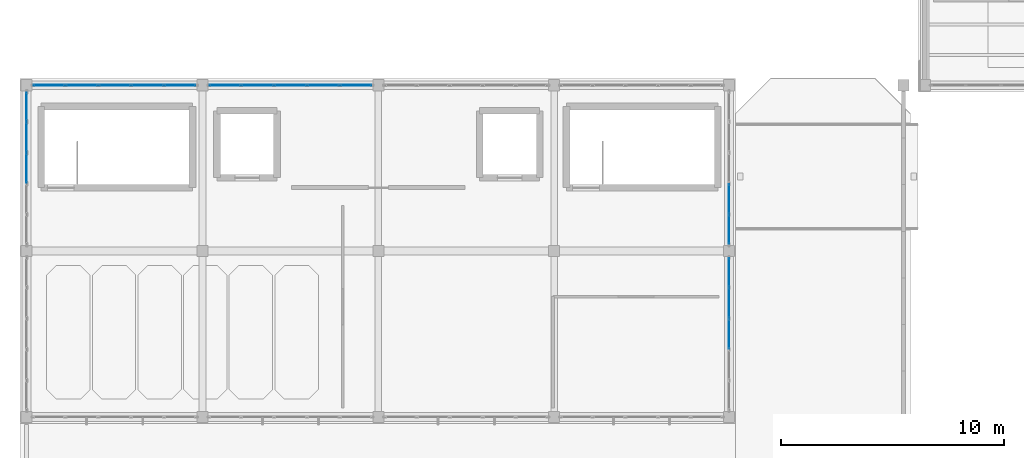
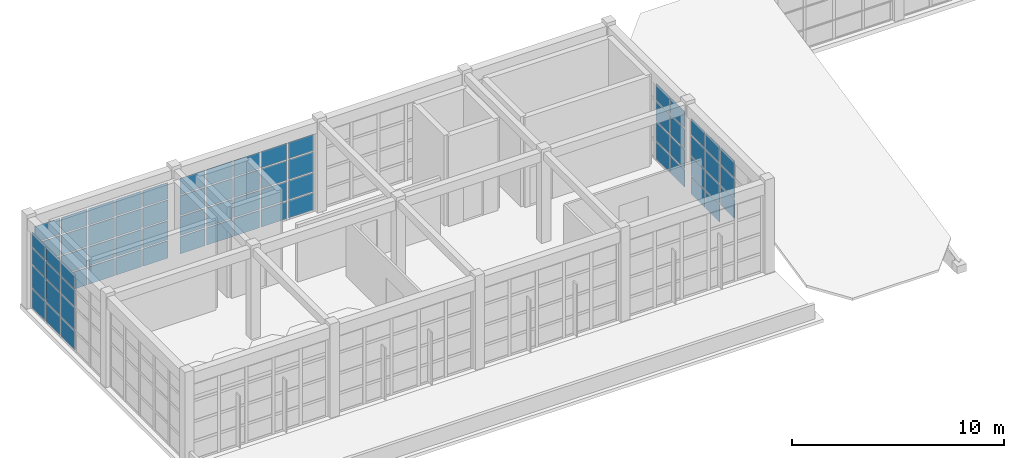
# One storey, part 64 of 103: 71 plates, 5 elements without a shape of their own.
"""IFC4 building model written with IfcOpenShell, lengths in metres."""

from ifc_helpers import new_model, si_unit, direction, frame, origin, origin_2d, place, context, subcontext, project, spatial, rectangle, extrude, material, layer, layer_set, type_object, element, aggregate, save


model = new_model("IFC4")

# Units and contexts
model_context = context("Model", 3, precision=1e-05, world=origin(), true_north=direction((0.0, 1.0)))
body_context = subcontext(model_context, "Body", "Model", "MODEL_VIEW")
ifc_project = project(units=[si_unit("LENGTHUNIT", "METRE"), si_unit("AREAUNIT", "SQUARE_METRE"), si_unit("VOLUMEUNIT", "CUBIC_METRE"), si_unit("PLANEANGLEUNIT", "RADIAN"), si_unit("MASSUNIT", "GRAM", prefix="KILO")], contexts=[model_context])

# Site, building, storey
site_placement = place(None, origin())
site = spatial("IfcSite", under=ifc_project, at=site_placement, CompositionType="ELEMENT")
building_placement = place(site_placement, origin())
building = spatial("IfcBuilding", under=site, at=building_placement, Name="Candilejo Ridge Gondola Terminal", CompositionType="ELEMENT")
storey_placement = place(building_placement, frame((0.0, 0.0, 9.0)))
storey = spatial("IfcBuildingStorey", under=building, at=storey_placement, Name="L02", CompositionType="ELEMENT", Elevation=9.0)

# Curtain wall, plates
ifc_material_1 = material(Name="Anodised aluminium AA 6063-T6", Category="aluminium")
ifc_layer_1 = layer(ifc_material_1, 0.169921875)
ifc_layer_set_1 = layer_set([ifc_layer_1], Name="ARC-CW-GALLERY-3200-740X449")
curtain_wall_type_1 = type_object("IfcCurtainWallType", Name="ARC-CW-GALLERY-3200-740X449", PredefinedType="NOTDEFINED", material=ifc_layer_set_1)
curtain_wall_1_placement = place(storey_placement, origin())
curtain_wall_1 = element("IfcCurtainWall", 1, at=curtain_wall_1_placement, inside=storey, type_object=curtain_wall_type_1, Name="Curtain wall V1 L02-004", PredefinedType="NOTDEFINED")
ifc_material_2 = material(Name="Low-E laminated double glazing 6+12A+6+1.52PVB+6 mm", Category="glass")
ifc_layer_2 = layer(ifc_material_2, 0.028076171875)
ifc_layer_set_2 = layer_set([ifc_layer_2], Name="ARC-CW-GLAZ-PANEL")
plate_type = type_object("IfcPlateType", Name="ARC-CW-GLAZ-PANEL", PredefinedType="CURTAIN_PANEL", material=ifc_layer_set_2)
plate_1_placement = place(storey_placement, frame((5.308837890625, 25.699951171875, 0.0751953125), z_axis=(0.0, 0.0, 1.0), x_axis=(1.0, 0.0, 0.0)))
plate_1 = element("IfcPlate", 2, at=plate_1_placement, type_object=plate_type, Name="CW-74X44 panel 1.1", PredefinedType="CURTAIN_PANEL", context=body_context, shape_type="SweptSolid", body=[
    extrude(rectangle(XDim=1.367431640625, YDim=0.028076171875, at=origin_2d()), origin(), (0.0, 0.0, 1.0), 0.987548828125),
])
plate_2_placement = place(storey_placement, frame((5.308837890625, 25.699951171875, 1.1376953125), z_axis=(0.0, 0.0, 1.0), x_axis=(1.0, 0.0, 0.0)))
plate_2 = element("IfcPlate", 3, at=plate_2_placement, type_object=plate_type, Name="CW-74X44 panel 1.2", PredefinedType="CURTAIN_PANEL", context=body_context, shape_type="SweptSolid", body=[
    extrude(rectangle(XDim=1.367431640625, YDim=0.028076171875, at=origin_2d()), origin(), (0.0, 0.0, 1.0), 1.074951171875),
])
plate_3_placement = place(storey_placement, frame((5.308837890625, 25.699951171875, 2.28759765625), z_axis=(0.0, 0.0, 1.0), x_axis=(1.0, 0.0, 0.0)))
plate_3 = element("IfcPlate", 4, at=plate_3_placement, type_object=plate_type, Name="CW-74X44 panel 1.3", PredefinedType="CURTAIN_PANEL", context=body_context, shape_type="SweptSolid", body=[
    extrude(rectangle(XDim=1.367431640625, YDim=0.028076171875, at=origin_2d()), origin(), (0.0, 0.0, 1.0), 1.125),
])
plate_4_placement = place(storey_placement, frame((5.308837890625, 25.699951171875, 3.4873046875), z_axis=(0.0, 0.0, 1.0), x_axis=(1.0, 0.0, 0.0)))
plate_4 = element("IfcPlate", 5, at=plate_4_placement, type_object=plate_type, Name="CW-74X44 panel 1.4", PredefinedType="CURTAIN_PANEL", context=body_context, shape_type="SweptSolid", body=[
    extrude(rectangle(XDim=1.367431640625, YDim=0.028076171875, at=origin_2d()), origin(), (0.0, 0.0, 1.0), 0.927490234375),
])
plate_5_placement = place(storey_placement, frame((6.77001953125, 25.699951171875, 0.0751953125), z_axis=(0.0, 0.0, 1.0), x_axis=(1.0, 0.0, 0.0)))
plate_5 = element("IfcPlate", 6, at=plate_5_placement, type_object=plate_type, Name="CW-74X44 panel 2.1", PredefinedType="CURTAIN_PANEL", context=body_context, shape_type="SweptSolid", body=[
    extrude(rectangle(XDim=1.405029296875, YDim=0.028076171875, at=origin_2d()), origin(), (0.0, 0.0, 1.0), 0.987548828125),
])
plate_6_placement = place(storey_placement, frame((6.77001953125, 25.699951171875, 1.1376953125), z_axis=(0.0, 0.0, 1.0), x_axis=(1.0, 0.0, 0.0)))
plate_6 = element("IfcPlate", 7, at=plate_6_placement, type_object=plate_type, Name="CW-74X44 panel 2.2", PredefinedType="CURTAIN_PANEL", context=body_context, shape_type="SweptSolid", body=[
    extrude(rectangle(XDim=1.405029296875, YDim=0.028076171875, at=origin_2d()), origin(), (0.0, 0.0, 1.0), 1.074951171875),
])
plate_7_placement = place(storey_placement, frame((6.77001953125, 25.699951171875, 2.28759765625), z_axis=(0.0, 0.0, 1.0), x_axis=(1.0, 0.0, 0.0)))
plate_7 = element("IfcPlate", 8, at=plate_7_placement, type_object=plate_type, Name="CW-74X44 panel 2.3", PredefinedType="CURTAIN_PANEL", context=body_context, shape_type="SweptSolid", body=[
    extrude(rectangle(XDim=1.405029296875, YDim=0.028076171875, at=origin_2d()), origin(), (0.0, 0.0, 1.0), 1.125),
])
plate_8_placement = place(storey_placement, frame((6.77001953125, 25.699951171875, 3.4873046875), z_axis=(0.0, 0.0, 1.0), x_axis=(1.0, 0.0, 0.0)))
plate_8 = element("IfcPlate", 9, at=plate_8_placement, type_object=plate_type, Name="CW-74X44 panel 2.4", PredefinedType="CURTAIN_PANEL", context=body_context, shape_type="SweptSolid", body=[
    extrude(rectangle(XDim=1.405029296875, YDim=0.028076171875, at=origin_2d()), origin(), (0.0, 0.0, 1.0), 0.927490234375),
])
plate_9_placement = place(storey_placement, frame((8.25, 25.699951171875, 0.0751953125), z_axis=(0.0, 0.0, 1.0), x_axis=(1.0, 0.0, 0.0)))
plate_9 = element("IfcPlate", 10, at=plate_9_placement, type_object=plate_type, Name="CW-74X44 panel 3.1", PredefinedType="CURTAIN_PANEL", context=body_context, shape_type="SweptSolid", body=[
    extrude(rectangle(XDim=1.405029296875, YDim=0.028076171875, at=origin_2d()), origin(), (0.0, 0.0, 1.0), 0.987548828125),
])
plate_10_placement = place(storey_placement, frame((8.25, 25.699951171875, 1.1376953125), z_axis=(0.0, 0.0, 1.0), x_axis=(1.0, 0.0, 0.0)))
plate_10 = element("IfcPlate", 11, at=plate_10_placement, type_object=plate_type, Name="CW-74X44 panel 3.2", PredefinedType="CURTAIN_PANEL", context=body_context, shape_type="SweptSolid", body=[
    extrude(rectangle(XDim=1.405029296875, YDim=0.028076171875, at=origin_2d()), origin(), (0.0, 0.0, 1.0), 1.074951171875),
])
plate_11_placement = place(storey_placement, frame((8.25, 25.699951171875, 2.28759765625), z_axis=(0.0, 0.0, 1.0), x_axis=(1.0, 0.0, 0.0)))
plate_11 = element("IfcPlate", 12, at=plate_11_placement, type_object=plate_type, Name="CW-74X44 panel 3.3", PredefinedType="CURTAIN_PANEL", context=body_context, shape_type="SweptSolid", body=[
    extrude(rectangle(XDim=1.405029296875, YDim=0.028076171875, at=origin_2d()), origin(), (0.0, 0.0, 1.0), 1.125),
])
plate_12_placement = place(storey_placement, frame((8.25, 25.699951171875, 3.4873046875), z_axis=(0.0, 0.0, 1.0), x_axis=(1.0, 0.0, 0.0)))
plate_12 = element("IfcPlate", 13, at=plate_12_placement, type_object=plate_type, Name="CW-74X44 panel 3.4", PredefinedType="CURTAIN_PANEL", context=body_context, shape_type="SweptSolid", body=[
    extrude(rectangle(XDim=1.405029296875, YDim=0.028076171875, at=origin_2d()), origin(), (0.0, 0.0, 1.0), 0.927490234375),
])
plate_13_placement = place(storey_placement, frame((9.72998046875, 25.699951171875, 0.0751953125), z_axis=(0.0, 0.0, 1.0), x_axis=(1.0, 0.0, 0.0)))
plate_13 = element("IfcPlate", 14, at=plate_13_placement, type_object=plate_type, Name="CW-74X44 panel 4.1", PredefinedType="CURTAIN_PANEL", context=body_context, shape_type="SweptSolid", body=[
    extrude(rectangle(XDim=1.405029296875, YDim=0.028076171875, at=origin_2d()), origin(), (0.0, 0.0, 1.0), 0.987548828125),
])
plate_14_placement = place(storey_placement, frame((9.72998046875, 25.699951171875, 1.1376953125), z_axis=(0.0, 0.0, 1.0), x_axis=(1.0, 0.0, 0.0)))
plate_14 = element("IfcPlate", 15, at=plate_14_placement, type_object=plate_type, Name="CW-74X44 panel 4.2", PredefinedType="CURTAIN_PANEL", context=body_context, shape_type="SweptSolid", body=[
    extrude(rectangle(XDim=1.405029296875, YDim=0.028076171875, at=origin_2d()), origin(), (0.0, 0.0, 1.0), 1.074951171875),
])
plate_15_placement = place(storey_placement, frame((9.72998046875, 25.699951171875, 2.28759765625), z_axis=(0.0, 0.0, 1.0), x_axis=(1.0, 0.0, 0.0)))
plate_15 = element("IfcPlate", 16, at=plate_15_placement, type_object=plate_type, Name="CW-74X44 panel 4.3", PredefinedType="CURTAIN_PANEL", context=body_context, shape_type="SweptSolid", body=[
    extrude(rectangle(XDim=1.405029296875, YDim=0.028076171875, at=origin_2d()), origin(), (0.0, 0.0, 1.0), 1.125),
])
plate_16_placement = place(storey_placement, frame((9.72998046875, 25.699951171875, 3.4873046875), z_axis=(0.0, 0.0, 1.0), x_axis=(1.0, 0.0, 0.0)))
plate_16 = element("IfcPlate", 17, at=plate_16_placement, type_object=plate_type, Name="CW-74X44 panel 4.4", PredefinedType="CURTAIN_PANEL", context=body_context, shape_type="SweptSolid", body=[
    extrude(rectangle(XDim=1.405029296875, YDim=0.028076171875, at=origin_2d()), origin(), (0.0, 0.0, 1.0), 0.927490234375),
])
plate_17_placement = place(storey_placement, frame((11.191162109375, 25.699951171875, 0.0751953125), z_axis=(0.0, 0.0, 1.0), x_axis=(1.0, 0.0, 0.0)))
plate_17 = element("IfcPlate", 18, at=plate_17_placement, type_object=plate_type, Name="CW-74X44 panel 5.1", PredefinedType="CURTAIN_PANEL", context=body_context, shape_type="SweptSolid", body=[
    extrude(rectangle(XDim=1.367431640625, YDim=0.028076171875, at=origin_2d()), origin(), (0.0, 0.0, 1.0), 0.987548828125),
])
plate_18_placement = place(storey_placement, frame((11.191162109375, 25.699951171875, 1.1376953125), z_axis=(0.0, 0.0, 1.0), x_axis=(1.0, 0.0, 0.0)))
plate_18 = element("IfcPlate", 19, at=plate_18_placement, type_object=plate_type, Name="CW-74X44 panel 5.2", PredefinedType="CURTAIN_PANEL", context=body_context, shape_type="SweptSolid", body=[
    extrude(rectangle(XDim=1.367431640625, YDim=0.028076171875, at=origin_2d()), origin(), (0.0, 0.0, 1.0), 1.074951171875),
])
plate_19_placement = place(storey_placement, frame((11.191162109375, 25.699951171875, 2.28759765625), z_axis=(0.0, 0.0, 1.0), x_axis=(1.0, 0.0, 0.0)))
plate_19 = element("IfcPlate", 20, at=plate_19_placement, type_object=plate_type, Name="CW-74X44 panel 5.3", PredefinedType="CURTAIN_PANEL", context=body_context, shape_type="SweptSolid", body=[
    extrude(rectangle(XDim=1.367431640625, YDim=0.028076171875, at=origin_2d()), origin(), (0.0, 0.0, 1.0), 1.125),
])
plate_20_placement = place(storey_placement, frame((11.191162109375, 25.699951171875, 3.4873046875), z_axis=(0.0, 0.0, 1.0), x_axis=(1.0, 0.0, 0.0)))
plate_20 = element("IfcPlate", 21, at=plate_20_placement, type_object=plate_type, Name="CW-74X44 panel 5.4", PredefinedType="CURTAIN_PANEL", context=body_context, shape_type="SweptSolid", body=[
    extrude(rectangle(XDim=1.367431640625, YDim=0.028076171875, at=origin_2d()), origin(), (0.0, 0.0, 1.0), 0.927490234375),
])
aggregate(curtain_wall_1, [plate_1, plate_2, plate_3, plate_4, plate_5, plate_6, plate_7, plate_8, plate_9, plate_10, plate_11, plate_12, plate_13, plate_14, plate_15, plate_16, plate_17, plate_18, plate_19, plate_20])

curtain_wall_2_placement = place(storey_placement, origin())
curtain_wall_2 = element("IfcCurtainWall", 22, at=curtain_wall_2_placement, inside=storey, type_object=curtain_wall_type_1, Name="Curtain wall V1 L02-008", PredefinedType="NOTDEFINED")
plate_21_placement = place(storey_placement, frame((13.208740234375, 25.699951171875, 0.0751953125), z_axis=(0.0, 0.0, 1.0), x_axis=(1.0, 0.0, 0.0)))
plate_21 = element("IfcPlate", 23, at=plate_21_placement, type_object=plate_type, Name="CW-74X44 panel 1.1", PredefinedType="CURTAIN_PANEL", context=body_context, shape_type="SweptSolid", body=[
    extrude(rectangle(XDim=1.367431640625, YDim=0.028076171875, at=origin_2d()), origin(), (0.0, 0.0, 1.0), 0.987548828125),
])
plate_22_placement = place(storey_placement, frame((13.208740234375, 25.699951171875, 1.1376953125), z_axis=(0.0, 0.0, 1.0), x_axis=(1.0, 0.0, 0.0)))
plate_22 = element("IfcPlate", 24, at=plate_22_placement, type_object=plate_type, Name="CW-74X44 panel 1.2", PredefinedType="CURTAIN_PANEL", context=body_context, shape_type="SweptSolid", body=[
    extrude(rectangle(XDim=1.367431640625, YDim=0.028076171875, at=origin_2d()), origin(), (0.0, 0.0, 1.0), 1.074951171875),
])
plate_23_placement = place(storey_placement, frame((13.208740234375, 25.699951171875, 2.28759765625), z_axis=(0.0, 0.0, 1.0), x_axis=(1.0, 0.0, 0.0)))
plate_23 = element("IfcPlate", 25, at=plate_23_placement, type_object=plate_type, Name="CW-74X44 panel 1.3", PredefinedType="CURTAIN_PANEL", context=body_context, shape_type="SweptSolid", body=[
    extrude(rectangle(XDim=1.367431640625, YDim=0.028076171875, at=origin_2d()), origin(), (0.0, 0.0, 1.0), 1.125),
])
plate_24_placement = place(storey_placement, frame((13.208740234375, 25.699951171875, 3.4873046875), z_axis=(0.0, 0.0, 1.0), x_axis=(1.0, 0.0, 0.0)))
plate_24 = element("IfcPlate", 26, at=plate_24_placement, type_object=plate_type, Name="CW-74X44 panel 1.4", PredefinedType="CURTAIN_PANEL", context=body_context, shape_type="SweptSolid", body=[
    extrude(rectangle(XDim=1.367431640625, YDim=0.028076171875, at=origin_2d()), origin(), (0.0, 0.0, 1.0), 0.927490234375),
])
plate_25_placement = place(storey_placement, frame((14.669921875, 25.699951171875, 0.0751953125), z_axis=(0.0, 0.0, 1.0), x_axis=(1.0, 0.0, 0.0)))
plate_25 = element("IfcPlate", 27, at=plate_25_placement, type_object=plate_type, Name="CW-74X44 panel 2.1", PredefinedType="CURTAIN_PANEL", context=body_context, shape_type="SweptSolid", body=[
    extrude(rectangle(XDim=1.405029296875, YDim=0.028076171875, at=origin_2d()), origin(), (0.0, 0.0, 1.0), 0.987548828125),
])
plate_26_placement = place(storey_placement, frame((14.669921875, 25.699951171875, 1.1376953125), z_axis=(0.0, 0.0, 1.0), x_axis=(1.0, 0.0, 0.0)))
plate_26 = element("IfcPlate", 28, at=plate_26_placement, type_object=plate_type, Name="CW-74X44 panel 2.2", PredefinedType="CURTAIN_PANEL", context=body_context, shape_type="SweptSolid", body=[
    extrude(rectangle(XDim=1.405029296875, YDim=0.028076171875, at=origin_2d()), origin(), (0.0, 0.0, 1.0), 1.074951171875),
])
plate_27_placement = place(storey_placement, frame((14.669921875, 25.699951171875, 2.28759765625), z_axis=(0.0, 0.0, 1.0), x_axis=(1.0, 0.0, 0.0)))
plate_27 = element("IfcPlate", 29, at=plate_27_placement, type_object=plate_type, Name="CW-74X44 panel 2.3", PredefinedType="CURTAIN_PANEL", context=body_context, shape_type="SweptSolid", body=[
    extrude(rectangle(XDim=1.405029296875, YDim=0.028076171875, at=origin_2d()), origin(), (0.0, 0.0, 1.0), 1.125),
])
plate_28_placement = place(storey_placement, frame((14.669921875, 25.699951171875, 3.4873046875), z_axis=(0.0, 0.0, 1.0), x_axis=(1.0, 0.0, 0.0)))
plate_28 = element("IfcPlate", 30, at=plate_28_placement, type_object=plate_type, Name="CW-74X44 panel 2.4", PredefinedType="CURTAIN_PANEL", context=body_context, shape_type="SweptSolid", body=[
    extrude(rectangle(XDim=1.405029296875, YDim=0.028076171875, at=origin_2d()), origin(), (0.0, 0.0, 1.0), 0.927490234375),
])
plate_29_placement = place(storey_placement, frame((16.14990234375, 25.699951171875, 0.0751953125), z_axis=(0.0, 0.0, 1.0), x_axis=(1.0, 0.0, 0.0)))
plate_29 = element("IfcPlate", 31, at=plate_29_placement, type_object=plate_type, Name="CW-74X44 panel 3.1", PredefinedType="CURTAIN_PANEL", context=body_context, shape_type="SweptSolid", body=[
    extrude(rectangle(XDim=1.405029296875, YDim=0.028076171875, at=origin_2d()), origin(), (0.0, 0.0, 1.0), 0.987548828125),
])
plate_30_placement = place(storey_placement, frame((16.14990234375, 25.699951171875, 1.1376953125), z_axis=(0.0, 0.0, 1.0), x_axis=(1.0, 0.0, 0.0)))
plate_30 = element("IfcPlate", 32, at=plate_30_placement, type_object=plate_type, Name="CW-74X44 panel 3.2", PredefinedType="CURTAIN_PANEL", context=body_context, shape_type="SweptSolid", body=[
    extrude(rectangle(XDim=1.405029296875, YDim=0.028076171875, at=origin_2d()), origin(), (0.0, 0.0, 1.0), 1.074951171875),
])
plate_31_placement = place(storey_placement, frame((16.14990234375, 25.699951171875, 2.28759765625), z_axis=(0.0, 0.0, 1.0), x_axis=(1.0, 0.0, 0.0)))
plate_31 = element("IfcPlate", 33, at=plate_31_placement, type_object=plate_type, Name="CW-74X44 panel 3.3", PredefinedType="CURTAIN_PANEL", context=body_context, shape_type="SweptSolid", body=[
    extrude(rectangle(XDim=1.405029296875, YDim=0.028076171875, at=origin_2d()), origin(), (0.0, 0.0, 1.0), 1.125),
])
plate_32_placement = place(storey_placement, frame((16.14990234375, 25.699951171875, 3.4873046875), z_axis=(0.0, 0.0, 1.0), x_axis=(1.0, 0.0, 0.0)))
plate_32 = element("IfcPlate", 34, at=plate_32_placement, type_object=plate_type, Name="CW-74X44 panel 3.4", PredefinedType="CURTAIN_PANEL", context=body_context, shape_type="SweptSolid", body=[
    extrude(rectangle(XDim=1.405029296875, YDim=0.028076171875, at=origin_2d()), origin(), (0.0, 0.0, 1.0), 0.927490234375),
])
plate_33_placement = place(storey_placement, frame((17.6298828125, 25.699951171875, 0.0751953125), z_axis=(0.0, 0.0, 1.0), x_axis=(1.0, 0.0, 0.0)))
plate_33 = element("IfcPlate", 35, at=plate_33_placement, type_object=plate_type, Name="CW-74X44 panel 4.1", PredefinedType="CURTAIN_PANEL", context=body_context, shape_type="SweptSolid", body=[
    extrude(rectangle(XDim=1.405029296875, YDim=0.028076171875, at=origin_2d()), origin(), (0.0, 0.0, 1.0), 0.987548828125),
])
plate_34_placement = place(storey_placement, frame((17.6298828125, 25.699951171875, 1.1376953125), z_axis=(0.0, 0.0, 1.0), x_axis=(1.0, 0.0, 0.0)))
plate_34 = element("IfcPlate", 36, at=plate_34_placement, type_object=plate_type, Name="CW-74X44 panel 4.2", PredefinedType="CURTAIN_PANEL", context=body_context, shape_type="SweptSolid", body=[
    extrude(rectangle(XDim=1.405029296875, YDim=0.028076171875, at=origin_2d()), origin(), (0.0, 0.0, 1.0), 1.074951171875),
])
plate_35_placement = place(storey_placement, frame((17.6298828125, 25.699951171875, 2.28759765625), z_axis=(0.0, 0.0, 1.0), x_axis=(1.0, 0.0, 0.0)))
plate_35 = element("IfcPlate", 37, at=plate_35_placement, type_object=plate_type, Name="CW-74X44 panel 4.3", PredefinedType="CURTAIN_PANEL", context=body_context, shape_type="SweptSolid", body=[
    extrude(rectangle(XDim=1.405029296875, YDim=0.028076171875, at=origin_2d()), origin(), (0.0, 0.0, 1.0), 1.125),
])
plate_36_placement = place(storey_placement, frame((17.6298828125, 25.699951171875, 3.4873046875), z_axis=(0.0, 0.0, 1.0), x_axis=(1.0, 0.0, 0.0)))
plate_36 = element("IfcPlate", 38, at=plate_36_placement, type_object=plate_type, Name="CW-74X44 panel 4.4", PredefinedType="CURTAIN_PANEL", context=body_context, shape_type="SweptSolid", body=[
    extrude(rectangle(XDim=1.405029296875, YDim=0.028076171875, at=origin_2d()), origin(), (0.0, 0.0, 1.0), 0.927490234375),
])
plate_37_placement = place(storey_placement, frame((19.09130859375, 25.699951171875, 0.0751953125), z_axis=(0.0, 0.0, 1.0), x_axis=(1.0, 0.0, 0.0)))
plate_37 = element("IfcPlate", 39, at=plate_37_placement, type_object=plate_type, Name="CW-74X44 panel 5.1", PredefinedType="CURTAIN_PANEL", context=body_context, shape_type="SweptSolid", body=[
    extrude(rectangle(XDim=1.367431640625, YDim=0.028076171875, at=origin_2d()), origin(), (0.0, 0.0, 1.0), 0.987548828125),
])
plate_38_placement = place(storey_placement, frame((19.09130859375, 25.699951171875, 1.1376953125), z_axis=(0.0, 0.0, 1.0), x_axis=(1.0, 0.0, 0.0)))
plate_38 = element("IfcPlate", 40, at=plate_38_placement, type_object=plate_type, Name="CW-74X44 panel 5.2", PredefinedType="CURTAIN_PANEL", context=body_context, shape_type="SweptSolid", body=[
    extrude(rectangle(XDim=1.367431640625, YDim=0.028076171875, at=origin_2d()), origin(), (0.0, 0.0, 1.0), 1.074951171875),
])
plate_39_placement = place(storey_placement, frame((19.09130859375, 25.699951171875, 2.28759765625), z_axis=(0.0, 0.0, 1.0), x_axis=(1.0, 0.0, 0.0)))
plate_39 = element("IfcPlate", 41, at=plate_39_placement, type_object=plate_type, Name="CW-74X44 panel 5.3", PredefinedType="CURTAIN_PANEL", context=body_context, shape_type="SweptSolid", body=[
    extrude(rectangle(XDim=1.367431640625, YDim=0.028076171875, at=origin_2d()), origin(), (0.0, 0.0, 1.0), 1.125),
])
plate_40_placement = place(storey_placement, frame((19.09130859375, 25.699951171875, 3.4873046875), z_axis=(0.0, 0.0, 1.0), x_axis=(1.0, 0.0, 0.0)))
plate_40 = element("IfcPlate", 42, at=plate_40_placement, type_object=plate_type, Name="CW-74X44 panel 5.4", PredefinedType="CURTAIN_PANEL", context=body_context, shape_type="SweptSolid", body=[
    extrude(rectangle(XDim=1.367431640625, YDim=0.028076171875, at=origin_2d()), origin(), (0.0, 0.0, 1.0), 0.927490234375),
])
aggregate(curtain_wall_2, [plate_21, plate_22, plate_23, plate_24, plate_25, plate_26, plate_27, plate_28, plate_29, plate_30, plate_31, plate_32, plate_33, plate_34, plate_35, plate_36, plate_37, plate_38, plate_39, plate_40])

ifc_material_3 = material(Name="Anodised aluminium AA 6063-T6", Category="aluminium")
ifc_layer_3 = layer(ifc_material_3, 0.169921875)
ifc_layer_set_3 = layer_set([ifc_layer_3], Name="ARC-CW-CONCOURSE-3600-695X449")
curtain_wall_type_2 = type_object("IfcCurtainWallType", Name="ARC-CW-CONCOURSE-3600-695X449", PredefinedType="NOTDEFINED", material=ifc_layer_set_3)
curtain_wall_3_placement = place(storey_placement, origin())
curtain_wall_3 = element("IfcCurtainWall", 43, at=curtain_wall_3_placement, inside=storey, type_object=curtain_wall_type_2, Name="Curtain wall V1 L02-023", PredefinedType="NOTDEFINED")
plate_41_placement = place(storey_placement, frame((4.300048828125, 21.97509765625, 0.074951171875), z_axis=(0.0, 0.0, 1.0), x_axis=(0.0, 1.0, 0.0)))
plate_41 = element("IfcPlate", 44, at=plate_41_placement, type_object=plate_type, Name="CW-69X44 panel 3.1", PredefinedType="CURTAIN_PANEL", context=body_context, shape_type="SweptSolid", body=[
    extrude(rectangle(XDim=1.31494140625, YDim=0.028076171875, at=origin_2d()), origin(), (0.0, 0.0, 1.0), 1.08740234375),
])
plate_42_placement = place(storey_placement, frame((4.300048828125, 21.97509765625, 1.237548828125), z_axis=(0.0, 0.0, 1.0), x_axis=(0.0, 1.0, 0.0)))
plate_42 = element("IfcPlate", 45, at=plate_42_placement, type_object=plate_type, Name="CW-69X44 panel 3.2", PredefinedType="CURTAIN_PANEL", context=body_context, shape_type="SweptSolid", body=[
    extrude(rectangle(XDim=1.31494140625, YDim=0.028076171875, at=origin_2d()), origin(), (0.0, 0.0, 1.0), 1.27490234375),
])
plate_43_placement = place(storey_placement, frame((4.300048828125, 21.97509765625, 2.58740234375), z_axis=(0.0, 0.0, 1.0), x_axis=(0.0, 1.0, 0.0)))
plate_43 = element("IfcPlate", 46, at=plate_43_placement, type_object=plate_type, Name="CW-69X44 panel 3.3", PredefinedType="CURTAIN_PANEL", context=body_context, shape_type="SweptSolid", body=[
    extrude(rectangle(XDim=1.31494140625, YDim=0.028076171875, at=origin_2d()), origin(), (0.0, 0.0, 1.0), 0.925048828125),
])
plate_44_placement = place(storey_placement, frame((4.300048828125, 21.97509765625, 3.58740234375), z_axis=(0.0, 0.0, 1.0), x_axis=(0.0, 1.0, 0.0)))
plate_44 = element("IfcPlate", 47, at=plate_44_placement, type_object=plate_type, Name="CW-69X44 panel 3.4", PredefinedType="CURTAIN_PANEL", context=body_context, shape_type="SweptSolid", body=[
    extrude(rectangle(XDim=1.31494140625, YDim=0.028076171875, at=origin_2d()), origin(), (0.0, 0.0, 1.0), 0.827392578125),
])
plate_45_placement = place(storey_placement, frame((4.300048828125, 23.364990234375, 0.074951171875), z_axis=(0.0, 0.0, 1.0), x_axis=(0.0, 1.0, 0.0)))
plate_45 = element("IfcPlate", 48, at=plate_45_placement, type_object=plate_type, Name="CW-69X44 panel 4.1", PredefinedType="CURTAIN_PANEL", context=body_context, shape_type="SweptSolid", body=[
    extrude(rectangle(XDim=1.31494140625, YDim=0.028076171875, at=origin_2d()), origin(), (0.0, 0.0, 1.0), 1.08740234375),
])
plate_46_placement = place(storey_placement, frame((4.300048828125, 23.364990234375, 1.237548828125), z_axis=(0.0, 0.0, 1.0), x_axis=(0.0, 1.0, 0.0)))
plate_46 = element("IfcPlate", 49, at=plate_46_placement, type_object=plate_type, Name="CW-69X44 panel 4.2", PredefinedType="CURTAIN_PANEL", context=body_context, shape_type="SweptSolid", body=[
    extrude(rectangle(XDim=1.31494140625, YDim=0.028076171875, at=origin_2d()), origin(), (0.0, 0.0, 1.0), 1.27490234375),
])
plate_47_placement = place(storey_placement, frame((4.300048828125, 23.364990234375, 2.58740234375), z_axis=(0.0, 0.0, 1.0), x_axis=(0.0, 1.0, 0.0)))
plate_47 = element("IfcPlate", 50, at=plate_47_placement, type_object=plate_type, Name="CW-69X44 panel 4.3", PredefinedType="CURTAIN_PANEL", context=body_context, shape_type="SweptSolid", body=[
    extrude(rectangle(XDim=1.31494140625, YDim=0.028076171875, at=origin_2d()), origin(), (0.0, 0.0, 1.0), 0.925048828125),
])
plate_48_placement = place(storey_placement, frame((4.300048828125, 23.364990234375, 3.58740234375), z_axis=(0.0, 0.0, 1.0), x_axis=(0.0, 1.0, 0.0)))
plate_48 = element("IfcPlate", 51, at=plate_48_placement, type_object=plate_type, Name="CW-69X44 panel 4.4", PredefinedType="CURTAIN_PANEL", context=body_context, shape_type="SweptSolid", body=[
    extrude(rectangle(XDim=1.31494140625, YDim=0.028076171875, at=origin_2d()), origin(), (0.0, 0.0, 1.0), 0.827392578125),
])
plate_49_placement = place(storey_placement, frame((4.300048828125, 24.736328125, 0.074951171875), z_axis=(0.0, 0.0, 1.0), x_axis=(0.0, 1.0, 0.0)))
plate_49 = element("IfcPlate", 52, at=plate_49_placement, type_object=plate_type, Name="CW-69X44 panel 5.1", PredefinedType="CURTAIN_PANEL", context=body_context, shape_type="SweptSolid", body=[
    extrude(rectangle(XDim=1.277587890625, YDim=0.028076171875, at=origin_2d()), origin(), (0.0, 0.0, 1.0), 1.08740234375),
])
plate_50_placement = place(storey_placement, frame((4.300048828125, 24.736328125, 1.237548828125), z_axis=(0.0, 0.0, 1.0), x_axis=(0.0, 1.0, 0.0)))
plate_50 = element("IfcPlate", 53, at=plate_50_placement, type_object=plate_type, Name="CW-69X44 panel 5.2", PredefinedType="CURTAIN_PANEL", context=body_context, shape_type="SweptSolid", body=[
    extrude(rectangle(XDim=1.277587890625, YDim=0.028076171875, at=origin_2d()), origin(), (0.0, 0.0, 1.0), 1.27490234375),
])
plate_51_placement = place(storey_placement, frame((4.300048828125, 24.736328125, 2.58740234375), z_axis=(0.0, 0.0, 1.0), x_axis=(0.0, 1.0, 0.0)))
plate_51 = element("IfcPlate", 54, at=plate_51_placement, type_object=plate_type, Name="CW-69X44 panel 5.3", PredefinedType="CURTAIN_PANEL", context=body_context, shape_type="SweptSolid", body=[
    extrude(rectangle(XDim=1.277587890625, YDim=0.028076171875, at=origin_2d()), origin(), (0.0, 0.0, 1.0), 0.925048828125),
])
plate_52_placement = place(storey_placement, frame((4.300048828125, 24.736328125, 3.58740234375), z_axis=(0.0, 0.0, 1.0), x_axis=(0.0, 1.0, 0.0)))
plate_52 = element("IfcPlate", 55, at=plate_52_placement, type_object=plate_type, Name="CW-69X44 panel 5.4", PredefinedType="CURTAIN_PANEL", context=body_context, shape_type="SweptSolid", body=[
    extrude(rectangle(XDim=1.277587890625, YDim=0.028076171875, at=origin_2d()), origin(), (0.0, 0.0, 1.0), 0.827392578125),
])
aggregate(curtain_wall_3, [plate_41, plate_42, plate_43, plate_44, plate_45, plate_46, plate_47, plate_48, plate_49, plate_50, plate_51, plate_52])

ifc_material_4 = material(Name="Anodised aluminium AA 6063-T6", Category="aluminium")
ifc_layer_4 = layer(ifc_material_4, 0.169921875)
ifc_layer_set_4 = layer_set([ifc_layer_4], Name="ARC-CW-GALLERY-3200-695X449")
curtain_wall_type_3 = type_object("IfcCurtainWallType", Name="ARC-CW-GALLERY-3200-695X449", PredefinedType="NOTDEFINED", material=ifc_layer_set_4)
curtain_wall_4_placement = place(storey_placement, origin())
curtain_wall_4 = element("IfcCurtainWall", 56, at=curtain_wall_4_placement, inside=storey, type_object=curtain_wall_type_3, Name="Curtain wall V1 L02-026", PredefinedType="NOTDEFINED")
plate_53_placement = place(storey_placement, frame((35.85009765625, 14.52490234375, 1.1376953125), z_axis=(0.0, 0.0, 1.0), x_axis=(0.0, 1.0, 0.0)))
plate_53 = element("IfcPlate", 57, at=plate_53_placement, type_object=plate_type, Name="CW-69X44 panel 3.2", PredefinedType="CURTAIN_PANEL", context=body_context, shape_type="SweptSolid", body=[
    extrude(rectangle(XDim=1.31494140625, YDim=0.028076171875, at=origin_2d()), origin(), (0.0, 0.0, 1.0), 1.074951171875),
])
plate_54_placement = place(storey_placement, frame((35.85009765625, 14.52490234375, 2.28759765625), z_axis=(0.0, 0.0, 1.0), x_axis=(0.0, 1.0, 0.0)))
plate_54 = element("IfcPlate", 58, at=plate_54_placement, type_object=plate_type, Name="CW-69X44 panel 3.3", PredefinedType="CURTAIN_PANEL", context=body_context, shape_type="SweptSolid", body=[
    extrude(rectangle(XDim=1.31494140625, YDim=0.028076171875, at=origin_2d()), origin(), (0.0, 0.0, 1.0), 1.125),
])
plate_55_placement = place(storey_placement, frame((35.85009765625, 14.52490234375, 3.4873046875), z_axis=(0.0, 0.0, 1.0), x_axis=(0.0, 1.0, 0.0)))
plate_55 = element("IfcPlate", 59, at=plate_55_placement, type_object=plate_type, Name="CW-69X44 panel 3.4", PredefinedType="CURTAIN_PANEL", context=body_context, shape_type="SweptSolid", body=[
    extrude(rectangle(XDim=1.31494140625, YDim=0.028076171875, at=origin_2d()), origin(), (0.0, 0.0, 1.0), 0.927490234375),
])
plate_56_placement = place(storey_placement, frame((35.85009765625, 15.9150390625, 0.0751953125), z_axis=(0.0, 0.0, 1.0), x_axis=(0.0, 1.0, 0.0)))
plate_56 = element("IfcPlate", 60, at=plate_56_placement, type_object=plate_type, Name="CW-69X44 panel 4.1", PredefinedType="CURTAIN_PANEL", context=body_context, shape_type="SweptSolid", body=[
    extrude(rectangle(XDim=1.31494140625, YDim=0.028076171875, at=origin_2d()), origin(), (0.0, 0.0, 1.0), 0.987548828125),
])
plate_57_placement = place(storey_placement, frame((35.85009765625, 15.9150390625, 1.1376953125), z_axis=(0.0, 0.0, 1.0), x_axis=(0.0, 1.0, 0.0)))
plate_57 = element("IfcPlate", 61, at=plate_57_placement, type_object=plate_type, Name="CW-69X44 panel 4.2", PredefinedType="CURTAIN_PANEL", context=body_context, shape_type="SweptSolid", body=[
    extrude(rectangle(XDim=1.31494140625, YDim=0.028076171875, at=origin_2d()), origin(), (0.0, 0.0, 1.0), 1.074951171875),
])
plate_58_placement = place(storey_placement, frame((35.85009765625, 15.9150390625, 2.28759765625), z_axis=(0.0, 0.0, 1.0), x_axis=(0.0, 1.0, 0.0)))
plate_58 = element("IfcPlate", 62, at=plate_58_placement, type_object=plate_type, Name="CW-69X44 panel 4.3", PredefinedType="CURTAIN_PANEL", context=body_context, shape_type="SweptSolid", body=[
    extrude(rectangle(XDim=1.31494140625, YDim=0.028076171875, at=origin_2d()), origin(), (0.0, 0.0, 1.0), 1.125),
])
plate_59_placement = place(storey_placement, frame((35.85009765625, 15.9150390625, 3.4873046875), z_axis=(0.0, 0.0, 1.0), x_axis=(0.0, 1.0, 0.0)))
plate_59 = element("IfcPlate", 63, at=plate_59_placement, type_object=plate_type, Name="CW-69X44 panel 4.4", PredefinedType="CURTAIN_PANEL", context=body_context, shape_type="SweptSolid", body=[
    extrude(rectangle(XDim=1.31494140625, YDim=0.028076171875, at=origin_2d()), origin(), (0.0, 0.0, 1.0), 0.927490234375),
])
plate_60_placement = place(storey_placement, frame((35.85009765625, 17.2861328125, 0.0751953125), z_axis=(0.0, 0.0, 1.0), x_axis=(0.0, 1.0, 0.0)))
plate_60 = element("IfcPlate", 64, at=plate_60_placement, type_object=plate_type, Name="CW-69X44 panel 5.1", PredefinedType="CURTAIN_PANEL", context=body_context, shape_type="SweptSolid", body=[
    extrude(rectangle(XDim=1.277587890625, YDim=0.028076171875, at=origin_2d()), origin(), (0.0, 0.0, 1.0), 0.987548828125),
])
plate_61_placement = place(storey_placement, frame((35.85009765625, 17.2861328125, 1.1376953125), z_axis=(0.0, 0.0, 1.0), x_axis=(0.0, 1.0, 0.0)))
plate_61 = element("IfcPlate", 65, at=plate_61_placement, type_object=plate_type, Name="CW-69X44 panel 5.2", PredefinedType="CURTAIN_PANEL", context=body_context, shape_type="SweptSolid", body=[
    extrude(rectangle(XDim=1.277587890625, YDim=0.028076171875, at=origin_2d()), origin(), (0.0, 0.0, 1.0), 1.074951171875),
])
plate_62_placement = place(storey_placement, frame((35.85009765625, 17.2861328125, 2.28759765625), z_axis=(0.0, 0.0, 1.0), x_axis=(0.0, 1.0, 0.0)))
plate_62 = element("IfcPlate", 66, at=plate_62_placement, type_object=plate_type, Name="CW-69X44 panel 5.3", PredefinedType="CURTAIN_PANEL", context=body_context, shape_type="SweptSolid", body=[
    extrude(rectangle(XDim=1.277587890625, YDim=0.028076171875, at=origin_2d()), origin(), (0.0, 0.0, 1.0), 1.125),
])
plate_63_placement = place(storey_placement, frame((35.85009765625, 17.2861328125, 3.4873046875), z_axis=(0.0, 0.0, 1.0), x_axis=(0.0, 1.0, 0.0)))
plate_63 = element("IfcPlate", 67, at=plate_63_placement, type_object=plate_type, Name="CW-69X44 panel 5.4", PredefinedType="CURTAIN_PANEL", context=body_context, shape_type="SweptSolid", body=[
    extrude(rectangle(XDim=1.277587890625, YDim=0.028076171875, at=origin_2d()), origin(), (0.0, 0.0, 1.0), 0.927490234375),
])
aggregate(curtain_wall_4, [plate_53, plate_54, plate_55, plate_56, plate_57, plate_58, plate_59, plate_60, plate_61, plate_62, plate_63])

curtain_wall_5_placement = place(storey_placement, origin())
curtain_wall_5 = element("IfcCurtainWall", 68, at=curtain_wall_5_placement, inside=storey, type_object=curtain_wall_type_3, Name="Curtain wall V1 L02-027", PredefinedType="NOTDEFINED")
plate_64_placement = place(storey_placement, frame((35.85009765625, 19.2138671875, 0.0751953125), z_axis=(0.0, 0.0, 1.0), x_axis=(0.0, 1.0, 0.0)))
plate_64 = element("IfcPlate", 69, at=plate_64_placement, type_object=plate_type, Name="CW-69X44 panel 1.1", PredefinedType="CURTAIN_PANEL", context=body_context, shape_type="SweptSolid", body=[
    extrude(rectangle(XDim=1.277587890625, YDim=0.028076171875, at=origin_2d()), origin(), (0.0, 0.0, 1.0), 0.987548828125),
])
plate_65_placement = place(storey_placement, frame((35.85009765625, 19.2138671875, 1.1376953125), z_axis=(0.0, 0.0, 1.0), x_axis=(0.0, 1.0, 0.0)))
plate_65 = element("IfcPlate", 70, at=plate_65_placement, type_object=plate_type, Name="CW-69X44 panel 1.2", PredefinedType="CURTAIN_PANEL", context=body_context, shape_type="SweptSolid", body=[
    extrude(rectangle(XDim=1.277587890625, YDim=0.028076171875, at=origin_2d()), origin(), (0.0, 0.0, 1.0), 1.074951171875),
])
plate_66_placement = place(storey_placement, frame((35.85009765625, 19.2138671875, 2.28759765625), z_axis=(0.0, 0.0, 1.0), x_axis=(0.0, 1.0, 0.0)))
plate_66 = element("IfcPlate", 71, at=plate_66_placement, type_object=plate_type, Name="CW-69X44 panel 1.3", PredefinedType="CURTAIN_PANEL", context=body_context, shape_type="SweptSolid", body=[
    extrude(rectangle(XDim=1.277587890625, YDim=0.028076171875, at=origin_2d()), origin(), (0.0, 0.0, 1.0), 1.125),
])
plate_67_placement = place(storey_placement, frame((35.85009765625, 19.2138671875, 3.4873046875), z_axis=(0.0, 0.0, 1.0), x_axis=(0.0, 1.0, 0.0)))
plate_67 = element("IfcPlate", 72, at=plate_67_placement, type_object=plate_type, Name="CW-69X44 panel 1.4", PredefinedType="CURTAIN_PANEL", context=body_context, shape_type="SweptSolid", body=[
    extrude(rectangle(XDim=1.277587890625, YDim=0.028076171875, at=origin_2d()), origin(), (0.0, 0.0, 1.0), 0.927490234375),
])
plate_68_placement = place(storey_placement, frame((35.85009765625, 20.5849609375, 0.0751953125), z_axis=(0.0, 0.0, 1.0), x_axis=(0.0, 1.0, 0.0)))
plate_68 = element("IfcPlate", 73, at=plate_68_placement, type_object=plate_type, Name="CW-69X44 panel 2.1", PredefinedType="CURTAIN_PANEL", context=body_context, shape_type="SweptSolid", body=[
    extrude(rectangle(XDim=1.31494140625, YDim=0.028076171875, at=origin_2d()), origin(), (0.0, 0.0, 1.0), 0.987548828125),
])
plate_69_placement = place(storey_placement, frame((35.85009765625, 20.5849609375, 1.1376953125), z_axis=(0.0, 0.0, 1.0), x_axis=(0.0, 1.0, 0.0)))
plate_69 = element("IfcPlate", 74, at=plate_69_placement, type_object=plate_type, Name="CW-69X44 panel 2.2", PredefinedType="CURTAIN_PANEL", context=body_context, shape_type="SweptSolid", body=[
    extrude(rectangle(XDim=1.31494140625, YDim=0.028076171875, at=origin_2d()), origin(), (0.0, 0.0, 1.0), 1.074951171875),
])
plate_70_placement = place(storey_placement, frame((35.85009765625, 20.5849609375, 2.28759765625), z_axis=(0.0, 0.0, 1.0), x_axis=(0.0, 1.0, 0.0)))
plate_70 = element("IfcPlate", 75, at=plate_70_placement, type_object=plate_type, Name="CW-69X44 panel 2.3", PredefinedType="CURTAIN_PANEL", context=body_context, shape_type="SweptSolid", body=[
    extrude(rectangle(XDim=1.31494140625, YDim=0.028076171875, at=origin_2d()), origin(), (0.0, 0.0, 1.0), 1.125),
])
plate_71_placement = place(storey_placement, frame((35.85009765625, 20.5849609375, 3.4873046875), z_axis=(0.0, 0.0, 1.0), x_axis=(0.0, 1.0, 0.0)))
plate_71 = element("IfcPlate", 76, at=plate_71_placement, type_object=plate_type, Name="CW-69X44 panel 2.4", PredefinedType="CURTAIN_PANEL", context=body_context, shape_type="SweptSolid", body=[
    extrude(rectangle(XDim=1.31494140625, YDim=0.028076171875, at=origin_2d()), origin(), (0.0, 0.0, 1.0), 0.927490234375),
])
aggregate(curtain_wall_5, [plate_64, plate_65, plate_66, plate_67, plate_68, plate_69, plate_70, plate_71])

save(model, "model.ifc")
